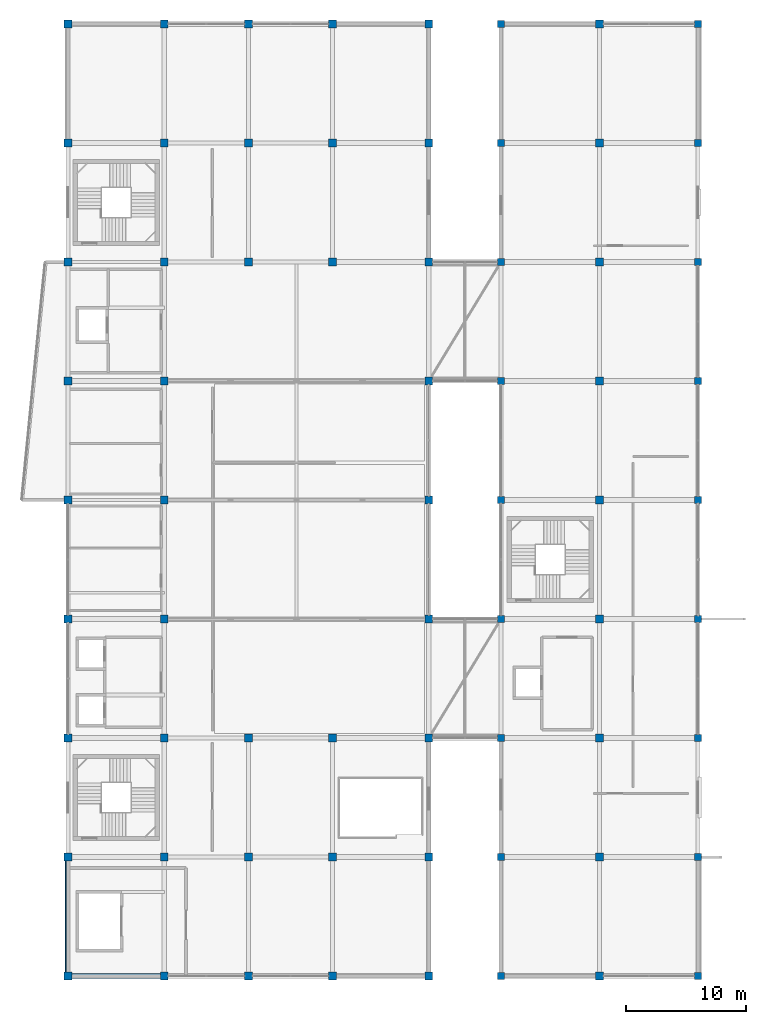
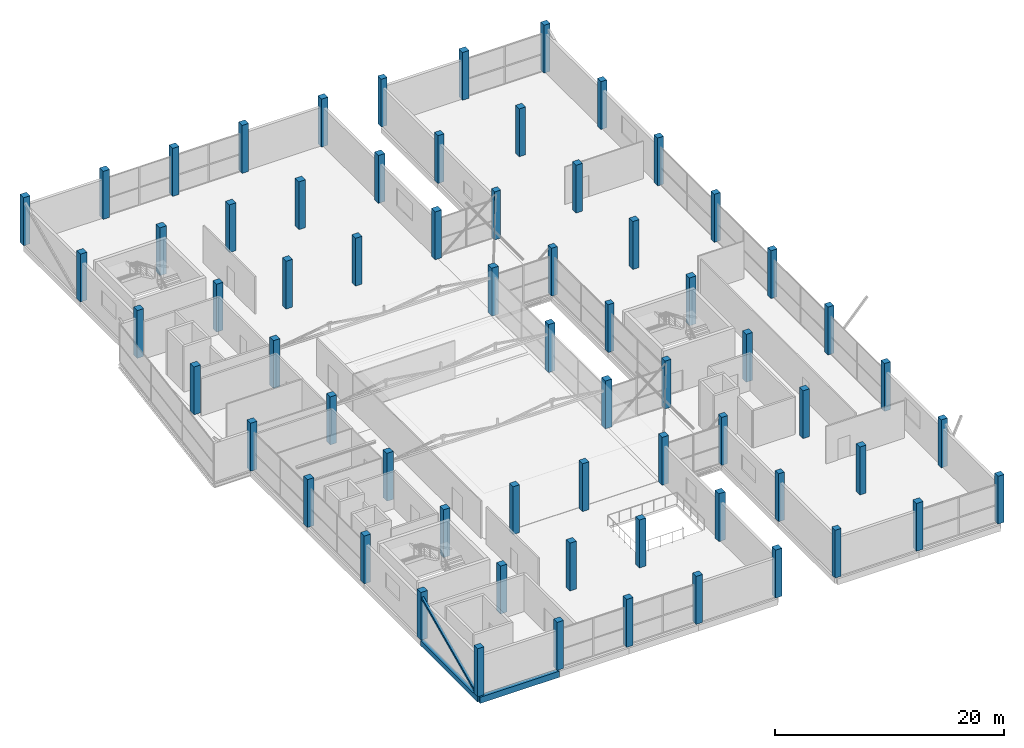
# One storey, part 1 of 58: 66 columns, 2 beams, 1 member.
"""IFC4 building model written with IfcOpenShell, lengths in metres."""

from ifc_helpers import new_model, si_unit, direction, frame, origin, origin_2d, place, context, subcontext, project, spatial, rectangle, hollow_rectangle, extrude, material, material_profile, profile_set, type_object, element, save


model = new_model("IFC4")

# Units and contexts
model_context = context("Model", 3, precision=1e-05, world=origin(), true_north=direction((0.0, 1.0)))
body_context = subcontext(model_context, "Body", "Model", "MODEL_VIEW")
ifc_project = project(units=[si_unit("LENGTHUNIT", "METRE"), si_unit("AREAUNIT", "SQUARE_METRE"), si_unit("VOLUMEUNIT", "CUBIC_METRE"), si_unit("PLANEANGLEUNIT", "RADIAN"), si_unit("MASSUNIT", "GRAM", prefix="KILO")], contexts=[model_context])

# Site, building, storey
site_placement = place(None, origin())
site = spatial("IfcSite", under=ifc_project, at=site_placement, CompositionType="ELEMENT")
building_placement = place(site_placement, origin())
building = spatial("IfcBuilding", under=site, at=building_placement, Name="Sillaruma Civic Art Gallery", CompositionType="ELEMENT")
storey_placement = place(building_placement, frame((0.0, 0.0, 52.02001953125)))
storey = spatial("IfcBuildingStorey", under=building, at=storey_placement, Name="L10", CompositionType="ELEMENT", Elevation=52.02001953125)

# Columns
ifc_material_1 = material(Name="Concrete H40 (40 MPa)", Category="concrete")
ifc_material_profile_1 = material_profile(ifc_material_1, rectangle(XDim=0.60009765625, YDim=0.60009765625, at=origin_2d()), Name="RC600x600")
ifc_profile_set_1 = profile_set([ifc_material_profile_1], Name="Concrete H40 (40 MPa)")
column_type_1 = type_object("IfcColumnType", Name="COL-COLUMN-RC600x600", PredefinedType="COLUMN", material=ifc_profile_set_1)
for number, where, z_axis, x_axis, name in (
    (1, (98.0, 19.800048828125, 0.0), (0.0, 0.0, 1.0), (1.0, 0.0, 0.0), "Column C-08 (L10:L3)"),
    (2, (98.0, 29.699951171875, 0.0), (0.0, 0.0, 1.0), (1.0, 0.0, 0.0), "Column C-08 (L10:L4)"),
    (3, (98.0, 39.60009765625, 0.0), (0.0, 0.0, 1.0), (1.0, 0.0, 0.0), "Column C-08 (L10:L5)"),
    (4, (98.0, 49.5, 0.0), (0.0, 0.0, 1.0), (1.0, 0.0, 0.0), "Column C-08 (L10:L6)"),
    (5, (98.0, 59.39990234375, 0.0), (0.0, 0.0, 1.0), (1.0, 0.0, 0.0), "Column C-08 (L10:L7)"),
    (6, (98.0, 69.300048828125, 0.0), (0.0, 0.0, 1.0), (1.0, 0.0, 0.0), "Column C-08 (L10:L8)"),
    (7, (98.0, 79.199951171875, 0.0), (0.0, 0.0, 1.0), (1.0, 0.0, 0.0), "Column C-08 (L10:L9)"),
    (8, (98.0, 89.10009765625, 0.0), (0.0, 0.0, 1.0), (1.0, 0.0, 0.0), "Column C-08 (L10:L10)"),
    (9, (98.0, 99.0, 0.0), (0.0, 0.0, 1.0), (1.0, 0.0, 0.0), "Column C-08 (L10:L11)"),
    (10, (114.39990234375, 19.800048828125, 0.0), (0.0, 0.0, 1.0), (1.0, 0.0, 0.0), "Column C-08 (L10:N3)"),
    (11, (114.39990234375, 29.699951171875, 0.0), (0.0, 0.0, 1.0), (1.0, 0.0, 0.0), "Column C-08 (L10:N4)"),
    (12, (114.39990234375, 39.60009765625, 0.0), (0.0, 0.0, 1.0), (1.0, 0.0, 0.0), "Column C-08 (L10:N5)"),
    (13, (114.39990234375, 49.5, 0.0), (0.0, 0.0, 1.0), (1.0, 0.0, 0.0), "Column C-08 (L10:N6)"),
    (14, (114.39990234375, 59.39990234375, 0.0), (0.0, 0.0, 1.0), (1.0, 0.0, 0.0), "Column C-08 (L10:N7)"),
    (15, (114.39990234375, 69.300048828125, 0.0), (0.0, 0.0, 1.0), (1.0, 0.0, 0.0), "Column C-08 (L10:N8)"),
    (16, (114.39990234375, 79.199951171875, 0.0), (0.0, 0.0, 1.0), (1.0, 0.0, 0.0), "Column C-08 (L10:N9)"),
    (17, (114.39990234375, 89.10009765625, 0.0), (0.0, 0.0, 1.0), (1.0, 0.0, 0.0), "Column C-08 (L10:N10)"),
    (18, (114.39990234375, 99.0, 0.0), (0.0, 0.0, 1.0), (1.0, 0.0, 0.0), "Column C-08 (L10:N11)"),
):
    element("IfcColumn", number, at=place(storey_placement, frame(where, z_axis=z_axis, x_axis=x_axis)), inside=storey, type_object=column_type_1, Name=name, PredefinedType="COLUMN", context=body_context, shape_type="SweptSolid", body=[
        extrude(rectangle(XDim=0.60009765625, YDim=0.60009765625, at=origin_2d()), origin(), (0.0, 0.0, 1.0), 5.10009765625),
    ])
ifc_material_profile_2 = material_profile(ifc_material_1, rectangle(XDim=0.64990234375, YDim=0.64990234375, at=origin_2d()), Name="RC650x650")
ifc_profile_set_2 = profile_set([ifc_material_profile_2], Name="Concrete H40 (40 MPa)")
column_type_2 = type_object("IfcColumnType", Name="COL-COLUMN-RC650x650", PredefinedType="COLUMN", material=ifc_profile_set_2)
for number, where, z_axis, x_axis, name in (
    (19, (62.0, 19.800048828125, 0.0), (0.0, 0.0, 1.0), (1.0, 0.0, 0.0), "Column C-07 (L10:F3)"),
    (20, (62.0, 29.699951171875, 0.0), (0.0, 0.0, 1.0), (1.0, 0.0, 0.0), "Column C-07 (L10:F4)"),
    (21, (62.0, 39.60009765625, 0.0), (0.0, 0.0, 1.0), (1.0, 0.0, 0.0), "Column C-07 (L10:F5)"),
    (22, (62.0, 49.5, 0.0), (0.0, 0.0, 1.0), (1.0, 0.0, 0.0), "Column C-07 (L10:F6)"),
    (23, (62.0, 59.39990234375, 0.0), (0.0, 0.0, 1.0), (1.0, 0.0, 0.0), "Column C-07 (L10:F7)"),
    (24, (62.0, 69.300048828125, 0.0), (0.0, 0.0, 1.0), (1.0, 0.0, 0.0), "Column C-07 (L10:F8)"),
    (25, (62.0, 79.199951171875, 0.0), (0.0, 0.0, 1.0), (1.0, 0.0, 0.0), "Column C-07 (L10:F9)"),
    (26, (62.0, 89.10009765625, 0.0), (0.0, 0.0, 1.0), (1.0, 0.0, 0.0), "Column C-07 (L10:F10)"),
    (27, (62.0, 99.0, 0.0), (0.0, 0.0, 1.0), (1.0, 0.0, 0.0), "Column C-07 (L10:F11)"),
    (28, (70.0, 19.800048828125, 0.0), (0.0, 0.0, 1.0), (1.0, 0.0, 0.0), "Column C-07 (L10:G3)"),
    (29, (70.0, 29.699951171875, 0.0), (0.0, 0.0, 1.0), (1.0, 0.0, 0.0), "Column C-07 (L10:G4)"),
    (30, (70.0, 39.60009765625, 0.0), (0.0, 0.0, 1.0), (1.0, 0.0, 0.0), "Column C-07 (L10:G5)"),
    (31, (70.0, 49.5, 0.0), (0.0, 0.0, 1.0), (1.0, 0.0, 0.0), "Column C-07 (L10:G6)"),
    (32, (70.0, 59.39990234375, 0.0), (0.0, 0.0, 1.0), (1.0, 0.0, 0.0), "Column C-07 (L10:G7)"),
    (33, (70.0, 69.300048828125, 0.0), (0.0, 0.0, 1.0), (1.0, 0.0, 0.0), "Column C-07 (L10:G8)"),
    (34, (70.0, 79.199951171875, 0.0), (0.0, 0.0, 1.0), (1.0, 0.0, 0.0), "Column C-07 (L10:G9)"),
    (35, (70.0, 89.10009765625, 0.0), (0.0, 0.0, 1.0), (1.0, 0.0, 0.0), "Column C-07 (L10:G10)"),
    (36, (70.0, 99.0, 0.0), (0.0, 0.0, 1.0), (1.0, 0.0, 0.0), "Column C-07 (L10:G11)"),
    (37, (77.0, 19.800048828125, 0.0), (0.0, 0.0, 1.0), (1.0, 0.0, 0.0), "Column C-07 (L10:H3)"),
    (38, (77.0, 29.699951171875, 0.0), (0.0, 0.0, 1.0), (1.0, 0.0, 0.0), "Column C-07 (L10:H4)"),
    (39, (77.0, 39.60009765625, 0.0), (0.0, 0.0, 1.0), (1.0, 0.0, 0.0), "Column C-07 (L10:H5)"),
    (40, (77.0, 79.199951171875, 0.0), (0.0, 0.0, 1.0), (1.0, 0.0, 0.0), "Column C-07 (L10:H9)"),
    (41, (77.0, 89.10009765625, 0.0), (0.0, 0.0, 1.0), (1.0, 0.0, 0.0), "Column C-07 (L10:H10)"),
    (42, (77.0, 99.0, 0.0), (0.0, 0.0, 1.0), (1.0, 0.0, 0.0), "Column C-07 (L10:H11)"),
    (43, (84.0, 19.800048828125, 0.0), (0.0, 0.0, 1.0), (1.0, 0.0, 0.0), "Column C-07 (L10:J3)"),
    (44, (84.0, 29.699951171875, 0.0), (0.0, 0.0, 1.0), (1.0, 0.0, 0.0), "Column C-07 (L10:J4)"),
    (45, (84.0, 39.60009765625, 0.0), (0.0, 0.0, 1.0), (1.0, 0.0, 0.0), "Column C-07 (L10:J5)"),
    (46, (84.0, 79.199951171875, 0.0), (0.0, 0.0, 1.0), (1.0, 0.0, 0.0), "Column C-07 (L10:J9)"),
    (47, (84.0, 89.10009765625, 0.0), (0.0, 0.0, 1.0), (1.0, 0.0, 0.0), "Column C-07 (L10:J10)"),
    (48, (84.0, 99.0, 0.0), (0.0, 0.0, 1.0), (1.0, 0.0, 0.0), "Column C-07 (L10:J11)"),
    (49, (92.0, 19.800048828125, 0.0), (0.0, 0.0, 1.0), (1.0, 0.0, 0.0), "Column C-07 (L10:K3)"),
    (50, (92.0, 29.699951171875, 0.0), (0.0, 0.0, 1.0), (1.0, 0.0, 0.0), "Column C-07 (L10:K4)"),
    (51, (92.0, 39.60009765625, 0.0), (0.0, 0.0, 1.0), (1.0, 0.0, 0.0), "Column C-07 (L10:K5)"),
    (52, (92.0, 49.5, 0.0), (0.0, 0.0, 1.0), (1.0, 0.0, 0.0), "Column C-07 (L10:K6)"),
    (53, (92.0, 59.39990234375, 0.0), (0.0, 0.0, 1.0), (1.0, 0.0, 0.0), "Column C-07 (L10:K7)"),
    (54, (92.0, 69.300048828125, 0.0), (0.0, 0.0, 1.0), (1.0, 0.0, 0.0), "Column C-07 (L10:K8)"),
    (55, (92.0, 79.199951171875, 0.0), (0.0, 0.0, 1.0), (1.0, 0.0, 0.0), "Column C-07 (L10:K9)"),
    (56, (92.0, 89.10009765625, 0.0), (0.0, 0.0, 1.0), (1.0, 0.0, 0.0), "Column C-07 (L10:K10)"),
    (57, (92.0, 99.0, 0.0), (0.0, 0.0, 1.0), (1.0, 0.0, 0.0), "Column C-07 (L10:K11)"),
    (58, (106.199951171875, 19.800048828125, 0.0), (0.0, 0.0, 1.0), (1.0, 0.0, 0.0), "Column C-07 (L10:M3)"),
    (59, (106.199951171875, 29.699951171875, 0.0), (0.0, 0.0, 1.0), (1.0, 0.0, 0.0), "Column C-07 (L10:M4)"),
    (60, (106.199951171875, 39.60009765625, 0.0), (0.0, 0.0, 1.0), (1.0, 0.0, 0.0), "Column C-07 (L10:M5)"),
    (61, (106.199951171875, 49.5, 0.0), (0.0, 0.0, 1.0), (1.0, 0.0, 0.0), "Column C-07 (L10:M6)"),
    (62, (106.199951171875, 59.39990234375, 0.0), (0.0, 0.0, 1.0), (1.0, 0.0, 0.0), "Column C-07 (L10:M7)"),
    (63, (106.199951171875, 69.300048828125, 0.0), (0.0, 0.0, 1.0), (1.0, 0.0, 0.0), "Column C-07 (L10:M8)"),
    (64, (106.199951171875, 79.199951171875, 0.0), (0.0, 0.0, 1.0), (1.0, 0.0, 0.0), "Column C-07 (L10:M9)"),
    (65, (106.199951171875, 89.10009765625, 0.0), (0.0, 0.0, 1.0), (1.0, 0.0, 0.0), "Column C-07 (L10:M10)"),
    (66, (106.199951171875, 99.0, 0.0), (0.0, 0.0, 1.0), (1.0, 0.0, 0.0), "Column C-07 (L10:M11)"),
):
    element("IfcColumn", number, at=place(storey_placement, frame(where, z_axis=z_axis, x_axis=x_axis)), inside=storey, type_object=column_type_2, Name=name, PredefinedType="COLUMN", context=body_context, shape_type="SweptSolid", body=[
        extrude(rectangle(XDim=0.64990234375, YDim=0.64990234375, at=origin_2d()), origin(), (0.0, 0.0, 1.0), 5.10009765625),
    ])

# Beams
ifc_material_2 = material(Name="Concrete H35 (35 MPa)", Category="concrete")
ifc_material_profile_3 = material_profile(ifc_material_2, rectangle(XDim=0.35009765625, YDim=0.550048828125, at=origin_2d()), Name="RCB350x550")
ifc_profile_set_3 = profile_set([ifc_material_profile_3], Name="Concrete H35 (35 MPa)")
beam_type_1 = type_object("IfcBeamType", Name="BM-SPANDREL-RCB350x550", PredefinedType="SPANDREL", material=ifc_profile_set_3)
beam_1_placement = place(storey_placement, frame((62.0, 19.800048828125, -0.52490234375), z_axis=(0.0, 1.0, 0.0), x_axis=(-1.0, 0.0, 0.0)))
element("IfcBeam", 67, at=beam_1_placement, inside=storey, type_object=beam_type_1, Name="Beam BS-04 (L09:F:3-4)", PredefinedType="SPANDREL", context=body_context, shape_type="SweptSolid", body=[
    extrude(rectangle(XDim=0.35009765625, YDim=0.550048828125, at=origin_2d()), origin(), (0.0, 0.0, 1.0), 9.89990234375),
])
ifc_material_profile_4 = material_profile(ifc_material_2, rectangle(XDim=0.39990234375, YDim=0.64990234375, at=origin_2d()), Name="RCB400x650")
ifc_profile_set_4 = profile_set([ifc_material_profile_4], Name="Concrete H35 (35 MPa)")
beam_type_2 = type_object("IfcBeamType", Name="BM-SPANDREL-RCB400x650", PredefinedType="SPANDREL", material=ifc_profile_set_4)
beam_2_placement = place(storey_placement, frame((62.0, 19.800048828125, -0.574951171875), z_axis=(1.0, 0.0, 0.0), x_axis=(0.0, 1.0, 0.0)))
element("IfcBeam", 68, at=beam_2_placement, inside=storey, type_object=beam_type_2, Name="Beam BS-02 (L09:3:F-G)", PredefinedType="SPANDREL", context=body_context, shape_type="SweptSolid", body=[
    extrude(rectangle(XDim=0.39990234375, YDim=0.64990234375, at=origin_2d()), origin(), (0.0, 0.0, 1.0), 8.0),
])

# Member
ifc_material_3 = material(Name="Structural Steel ASTM A500 Gr.C", Category="steel")
ifc_material_profile_5 = material_profile(ifc_material_3, hollow_rectangle(XDim=0.25, YDim=0.25, WallThickness=0.012451171875, InnerFilletRadius=0.012451171875, OuterFilletRadius=0.02490234375, at=origin_2d()), Name="HSS250x250x12.5")
ifc_profile_set_5 = profile_set([ifc_material_profile_5], Name="Structural Steel ASTM A500 Gr.C")
member_type = type_object("IfcMemberType", Name="MEM-MEGA-BRACE", PredefinedType="BRACE", material=ifc_profile_set_5)
member_placement = place(storey_placement, frame((61.85009765625, 19.97998046875, 0.10009765625), z_axis=(0.0, 0.908074976581, 0.418807637116), x_axis=(-1.0, 0.0, 0.0)))
element("IfcMember", 69, at=member_placement, inside=storey, type_object=member_type, Name="Exterior Expressed Gallery Seismic Diagonal Brace (L10-WS)", PredefinedType="BRACE", context=body_context, shape_type="SweptSolid", body=[
    extrude(hollow_rectangle(XDim=0.25, YDim=0.25, WallThickness=0.012451171875, InnerFilletRadius=0.012451171875, OuterFilletRadius=0.02490234375, at=origin_2d()), origin(), (0.0, 0.0, 1.0), 10.505859375),
])

save(model, "model.ifc")
